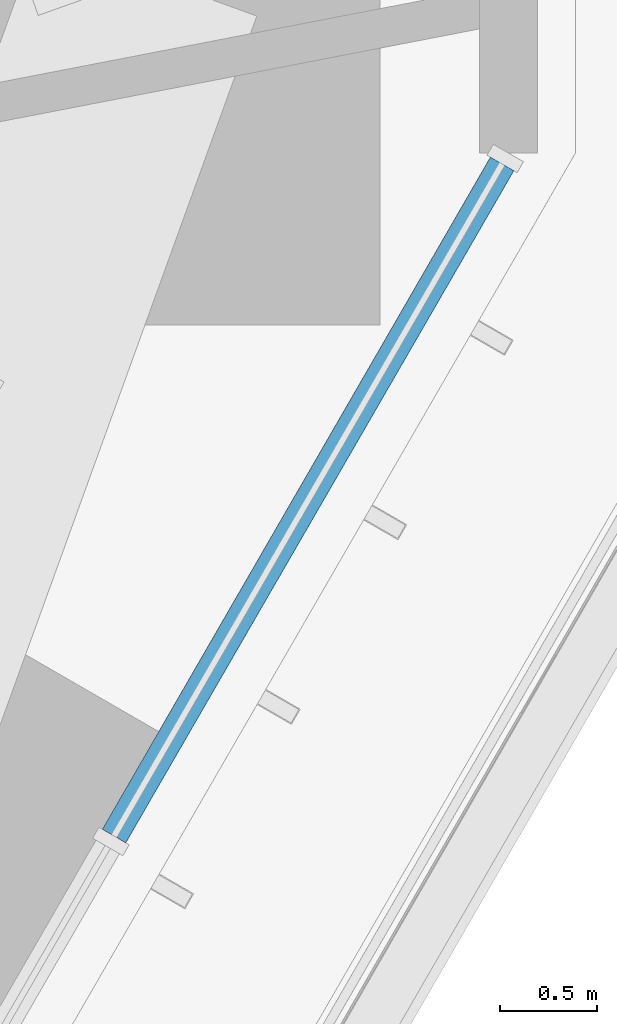
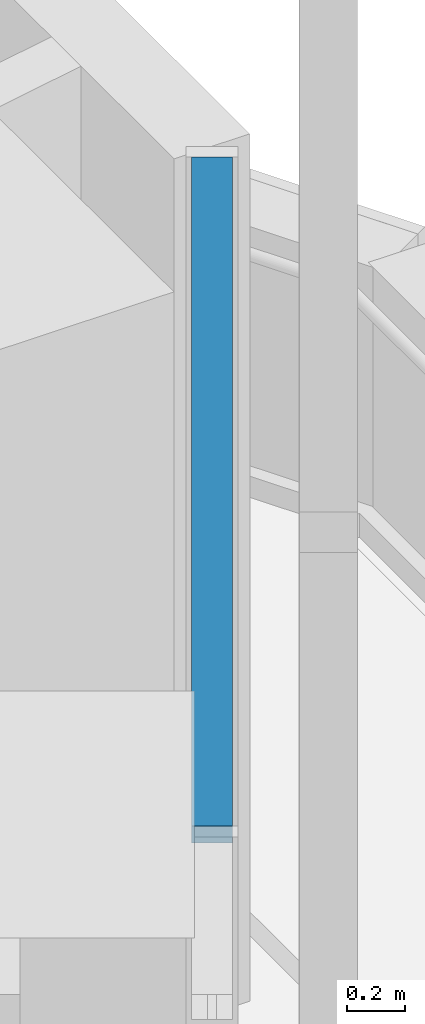
# One storey, part 177 of 238: 1 member, 1 element without a shape of its own.
"""IFC4 building model written with IfcOpenShell, lengths in metres."""

from ifc_helpers import new_model, si_unit, direction, frame, origin, origin_2d, place, context, subcontext, project, spatial, rectangle, extrude, material, material_profile, profile_set, type_object, element, aggregate, save


model = new_model("IFC4")

# Units and contexts
model_context = context("Model", 3, precision=1e-05, world=origin(), true_north=direction((0.0, 1.0)))
body_context = subcontext(model_context, "Body", "Model", "MODEL_VIEW")
ifc_project = project(units=[si_unit("LENGTHUNIT", "METRE"), si_unit("AREAUNIT", "SQUARE_METRE"), si_unit("VOLUMEUNIT", "CUBIC_METRE"), si_unit("PLANEANGLEUNIT", "RADIAN"), si_unit("MASSUNIT", "GRAM", prefix="KILO")], contexts=[model_context])

# Site, building, storey
site_placement = place(None, origin())
site = spatial("IfcSite", under=ifc_project, at=site_placement, CompositionType="ELEMENT")
building_placement = place(site_placement, origin())
building = spatial("IfcBuilding", under=site, at=building_placement, Name="Sandreach Pilgrim Tower", CompositionType="ELEMENT")
storey_placement = place(building_placement, frame((0.0, 0.0, 96.800048828125)))
storey = spatial("IfcBuildingStorey", under=building, at=storey_placement, Name="L23", CompositionType="ELEMENT", Elevation=96.800048828125)

# Curtain wall, member
ifc_material_1 = material(Name="Aluminium framed curtain wall", Category="aluminium")
curtain_wall_type = type_object("IfcCurtainWallType", Name="Hotel tower curtain wall", PredefinedType="NOTDEFINED", material=ifc_material_1)
curtain_wall_placement = place(storey_placement, origin())
curtain_wall = element("IfcCurtainWall", 1, at=curtain_wall_placement, inside=storey, type_object=curtain_wall_type, Name="CW-2 L23 SE", PredefinedType="NOTDEFINED")
ifc_material_2 = material(Name="Aluminium extrusion", Category="aluminium")
ifc_material_profile = material_profile(ifc_material_2, rectangle(XDim=0.139892578125, YDim=0.070068359375, at=origin_2d()), Name="CW-2T 140X70")
ifc_profile_set = profile_set([ifc_material_profile], Name="Aluminium extrusion")
member_type = type_object("IfcMemberType", Name="CW-2 transom", PredefinedType="USERDEFINED", material=ifc_profile_set)
member_placement = place(storey_placement, frame((28.6884765625, 4.7021484375, 3.60498046875), z_axis=(-0.500015851672, -0.866016251624, 0.0), x_axis=(0.866016251624, -0.500015851672, 0.0)))
member = element("IfcMember", 2, at=member_placement, type_object=member_type, Name="CW-2 head transom 1", ObjectType="TRANSOM", PredefinedType="USERDEFINED", context=body_context, shape_type="SweptSolid", body=[
    extrude(rectangle(XDim=0.139892578125, YDim=0.070068359375, at=origin_2d()), origin(), (0.0, 0.0, 1.0), 4.009521484375),
])
aggregate(curtain_wall, [member])

save(model, "model.ifc")
